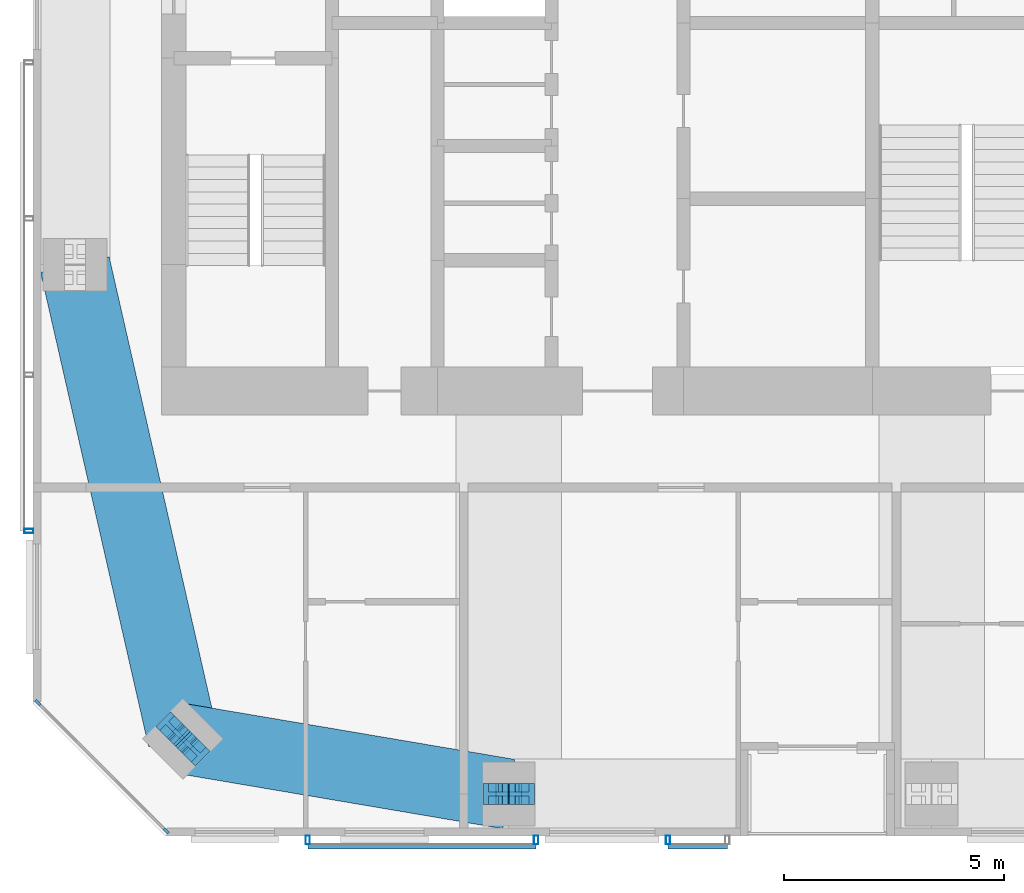
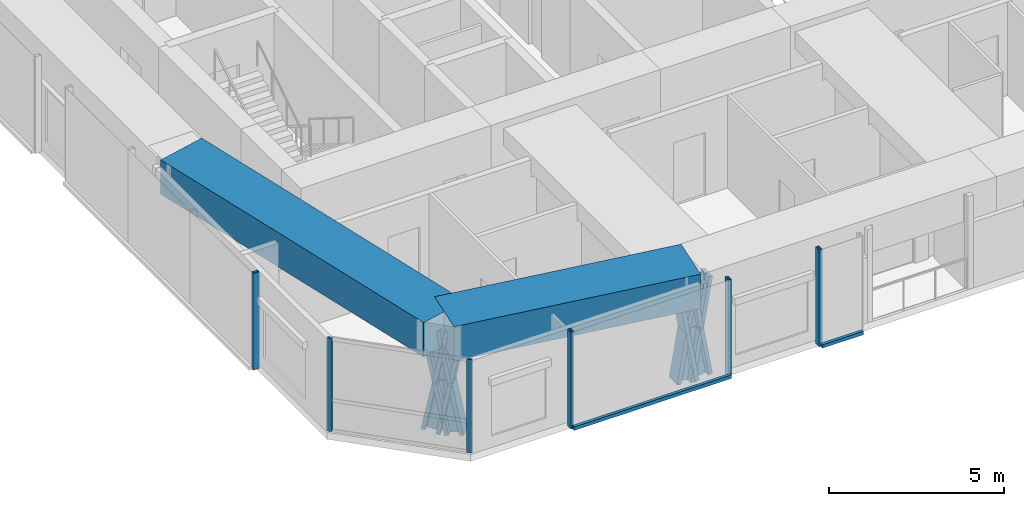
# One storey, part 2 of 20: 16 members, 2 beams, 4 elements without a shape of their own.
"""IFC4 building model written with IfcOpenShell, lengths in metres."""

from ifc_helpers import new_model, si_unit, direction, frame, origin, origin_2d, place, context, subcontext, project, spatial, rectangle, hollow_rectangle, i_section, extrude, material, material_profile, profile_set, type_object, element, aggregate, save


model = new_model("IFC4")

# Units and contexts
model_context = context("Model", 3, precision=1e-05, world=origin(), true_north=direction((0.0, 1.0)))
body_context = subcontext(model_context, "Body", "Model", "MODEL_VIEW")
ifc_project = project(units=[si_unit("LENGTHUNIT", "METRE"), si_unit("AREAUNIT", "SQUARE_METRE"), si_unit("VOLUMEUNIT", "CUBIC_METRE"), si_unit("PLANEANGLEUNIT", "RADIAN"), si_unit("MASSUNIT", "GRAM", prefix="KILO")], contexts=[model_context])

# Site, building, storey
site_placement = place(None, origin())
site = spatial("IfcSite", under=ifc_project, at=site_placement, CompositionType="ELEMENT")
building_placement = place(site_placement, origin())
building = spatial("IfcBuilding", under=site, at=building_placement, Name="Jalousie Tower", CompositionType="ELEMENT")
storey_placement = place(building_placement, frame((0.0, 0.0, 238.949951171875)))
storey = spatial("IfcBuildingStorey", under=building, at=storey_placement, Name="L65", CompositionType="ELEMENT", Elevation=238.949951171875)

# Curtain wall, members
ifc_material_1 = material(Name="Aluminium curtain wall", Category="aluminium")
curtain_wall_type_1 = type_object("IfcCurtainWallType", Name="CORNER WINDOW WALL", PredefinedType="USERDEFINED", material=ifc_material_1)
curtain_wall_1_placement = place(storey_placement, origin())
curtain_wall_1 = element("IfcCurtainWall", 1, at=curtain_wall_1_placement, inside=storey, type_object=curtain_wall_type_1, Name="Corner Window Wall L65 8", ObjectType="CORNER WINDOW WALL", PredefinedType="USERDEFINED")
ifc_material_2 = material(Name="Aluminium mullion", Category="aluminium")
ifc_material_profile_1 = material_profile(ifc_material_2, rectangle(XDim=0.06005859375, YDim=0.14990234375, at=origin_2d()), Name="MULLION 60x150")
ifc_profile_set_1 = profile_set([ifc_material_profile_1], Name="Aluminium mullion")
member_type_1 = type_object("IfcMemberType", Name="CORNER WINDOW WALL MULLION", PredefinedType="MULLION", material=ifc_profile_set_1)
member_1_placement = place(storey_placement, frame((16.90869140625, 3.030029296875, 0.0), z_axis=(0.0, 0.0, 1.0), x_axis=(0.707106781187, 0.707106781187, 0.0)))
member_1 = element("IfcMember", 2, at=member_1_placement, type_object=member_type_1, Name="CW-C mullion 1", PredefinedType="MULLION", context=body_context, shape_type="SweptSolid", body=[
    extrude(rectangle(XDim=0.06005859375, YDim=0.14990234375, at=origin_2d()), origin(), (0.0, 0.0, 1.0), 3.260009765625),
])
member_2_placement = place(storey_placement, frame((19.830078125, 0.108642578125, 0.0), z_axis=(0.0, 0.0, 1.0), x_axis=(0.707106781187, 0.707106781187, 0.0)))
member_2 = element("IfcMember", 3, at=member_2_placement, type_object=member_type_1, Name="CW-C mullion 2", PredefinedType="MULLION", context=body_context, shape_type="SweptSolid", body=[
    extrude(rectangle(XDim=0.06005859375, YDim=0.14990234375, at=origin_2d()), origin(), (0.0, 0.0, 1.0), 3.260009765625),
])
aggregate(curtain_wall_1, [member_1, member_2])

# Members
ifc_material_3 = material(Name="Steel ASTM A992 Grade 50", Category="steel")
ifc_material_profile_2 = material_profile(ifc_material_3, i_section(OverallWidth=0.472412109375, OverallDepth=0.5791015625, WebThickness=0.094970703125, FlangeThickness=0.1298828125, at=origin_2d()), Name="W14X808")
ifc_profile_set_2 = profile_set([ifc_material_profile_2], Name="Steel ASTM A992 Grade 50")
member_type_2 = type_object("IfcMemberType", Name="PERIMETER BRACE W14X808", PredefinedType="BRACE", material=ifc_profile_set_2)
for number, where, z_axis, x_axis, name in (
    (4, (19.959716796875, 2.45458984375, -0.599853515625), (0.138579250682, -0.138716051522, 0.980588419435), (0.707455539091, 0.706757851183, 0.0), "Perimeter brace 01 L65 part 1"),
    (5, (20.20703125, 2.20703125, 1.150146484375), (0.138716051522, -0.138579250682, 0.980588419435), (0.706757851183, 0.707455539091, 0.0), "Perimeter brace 01 L65 part 2"),
    (6, (20.45458984375, 1.959716796875, -0.599853515625), (-0.138716051522, 0.138579250682, 0.980588419435), (-0.706757851183, -0.707455539091, 0.0), "Perimeter brace 01 L65 part 3"),
    (7, (20.20703125, 2.20703125, 1.150146484375), (-0.138579250682, 0.138716051522, 0.980588419435), (-0.707455539091, -0.706757851183, 0.0), "Perimeter brace 01 L65 part 4"),
):
    element("IfcMember", number, at=place(storey_placement, frame(where, z_axis=z_axis, x_axis=x_axis)), inside=storey, type_object=member_type_2, Name=name, PredefinedType="BRACE", context=body_context, shape_type="SweptSolid", body=[
        extrude(i_section(OverallWidth=0.472412109375, OverallDepth=0.5791015625, WebThickness=0.094970703125, FlangeThickness=0.1298828125, at=origin_2d()), origin(), (0.0, 0.0, 1.0), 1.78466796875),
    ])
for number, where, z_axis, x_axis, name in (
    (8, (27.324951171875, 0.949951171875, -0.599853515625), (0.168990530437, 0.0, 0.98561767467), (0.0, 1.0, 0.0), "Perimeter brace 02 L65 part 1"),
    (9, (27.625, 0.949951171875, 1.150146484375), (0.168990530437, 0.0, 0.98561767467), (0.0, 1.0, 0.0), "Perimeter brace 02 L65 part 2"),
    (10, (27.925048828125, 0.949951171875, -0.599853515625), (-0.168990530437, 0.0, 0.98561767467), (0.0, -1.0, 0.0), "Perimeter brace 02 L65 part 3"),
    (11, (27.625, 0.949951171875, 1.150146484375), (-0.168990530437, 0.0, 0.98561767467), (0.0, -1.0, 0.0), "Perimeter brace 02 L65 part 4"),
):
    element("IfcMember", number, at=place(storey_placement, frame(where, z_axis=z_axis, x_axis=x_axis)), inside=storey, type_object=member_type_2, Name=name, PredefinedType="BRACE", context=body_context, shape_type="SweptSolid", body=[
        extrude(i_section(OverallWidth=0.472412109375, OverallDepth=0.5791015625, WebThickness=0.094970703125, FlangeThickness=0.1298828125, at=origin_2d()), origin(), (0.0, 0.0, 1.0), 1.775634765625),
    ])

# Beams
ifc_material_4 = material(Name="Concrete f'c 40 MPa", Category="concrete")
ifc_material_profile_3 = material_profile(ifc_material_4, rectangle(XDim=1.60009765625, YDim=1.199951171875, at=origin_2d()), Name="RC 1600x1200")
ifc_profile_set_3 = profile_set([ifc_material_profile_3], Name="Concrete f'c 40 MPa")
beam_type = type_object("IfcBeamType", Name="RC BEAM 1600x1200", PredefinedType="BEAM", material=ifc_profile_set_3)
beam_1_placement = place(storey_placement, frame((20.20703125, 2.20703125, 2.900146484375), z_axis=(0.985942997446, -0.167082033105, 0.0), x_axis=(0.167082033105, 0.985942997446, 0.0)))
element("IfcBeam", 12, at=beam_1_placement, inside=storey, type_object=beam_type, Name="Edge band beam 01-02 under L66", PredefinedType="BEAM", context=body_context, shape_type="SweptSolid", body=[
    extrude(rectangle(XDim=1.60009765625, YDim=1.199951171875, at=origin_2d()), origin(), (0.0, 0.0, 1.0), 7.523681640625),
])
beam_2_placement = place(storey_placement, frame((17.75, 13.0, 2.900146484375), z_axis=(0.221971905818, -0.975053061647, 0.0), x_axis=(0.975053061647, 0.221971905818, 0.0)))
element("IfcBeam", 13, at=beam_2_placement, inside=storey, type_object=beam_type, Name="Edge band beam 14-01 under L66", PredefinedType="BEAM", context=body_context, shape_type="SweptSolid", body=[
    extrude(rectangle(XDim=1.60009765625, YDim=1.199951171875, at=origin_2d()), origin(), (0.0, 0.0, 1.0), 11.069091796875),
])

# Curtain wall, members
ifc_material_5 = material(Name="Perforated aluminium sheet", Category="aluminium")
curtain_wall_type_2 = type_object("IfcCurtainWallType", Name="SOLAR SCREEN SS-2", PredefinedType="USERDEFINED", material=ifc_material_5)
curtain_wall_2_placement = place(storey_placement, origin())
curtain_wall_2 = element("IfcCurtainWall", 14, at=curtain_wall_2_placement, inside=storey, type_object=curtain_wall_type_2, Name="Solar screen L65", ObjectType="SOLAR SCREEN SS-2", PredefinedType="USERDEFINED")
ifc_material_6 = material(Name="Steel ASTM A500 Grade C", Category="steel")
ifc_material_profile_4 = material_profile(ifc_material_6, hollow_rectangle(XDim=0.1015625, YDim=0.203125, WallThickness=0.0078125, at=origin_2d()), Name="HSS8X4X5/16")
ifc_profile_set_4 = profile_set([ifc_material_profile_4], Name="Steel ASTM A500 Grade C")
member_type_3 = type_object("IfcMemberType", Name="SOLAR SCREEN SS-2 MULLION", PredefinedType="MULLION", material=ifc_profile_set_4)
member_3_placement = place(storey_placement, frame((23.050048828125, -0.0966796875, -0.119873046875), z_axis=(0.0, 0.0, 1.0), x_axis=(1.0, 0.0, 0.0)))
member_3 = element("IfcMember", 15, at=member_3_placement, type_object=member_type_3, Name="SS2 post 1", PredefinedType="MULLION", context=body_context, shape_type="SweptSolid", body=[
    extrude(hollow_rectangle(XDim=0.1015625, YDim=0.203125, WallThickness=0.0078125, at=origin_2d()), origin(), (0.0, 0.0, 1.0), 3.3798828125),
])
member_4_placement = place(storey_placement, frame((28.25, -0.0966796875, -0.119873046875), z_axis=(0.0, 0.0, 1.0), x_axis=(1.0, 0.0, 0.0)))
member_4 = element("IfcMember", 16, at=member_4_placement, type_object=member_type_3, Name="SS2 post 2", PredefinedType="MULLION", context=body_context, shape_type="SweptSolid", body=[
    extrude(hollow_rectangle(XDim=0.1015625, YDim=0.203125, WallThickness=0.0078125, at=origin_2d()), origin(), (0.0, 0.0, 1.0), 3.3798828125),
])

# Curtain wall, member
curtain_wall_3_placement = place(storey_placement, origin())
curtain_wall_3 = element("IfcCurtainWall", 17, at=curtain_wall_3_placement, inside=storey, type_object=curtain_wall_type_2, Name="Solar screen L65", ObjectType="SOLAR SCREEN SS-2", PredefinedType="USERDEFINED")
member_5_placement = place(storey_placement, frame((31.25, -0.0966796875, -0.119873046875), z_axis=(0.0, 0.0, 1.0), x_axis=(1.0, 0.0, 0.0)))
member_5 = element("IfcMember", 18, at=member_5_placement, type_object=member_type_3, Name="SS2 post 1", PredefinedType="MULLION", context=body_context, shape_type="SweptSolid", body=[
    extrude(hollow_rectangle(XDim=0.1015625, YDim=0.203125, WallThickness=0.0078125, at=origin_2d()), origin(), (0.0, 0.0, 1.0), 3.3798828125),
])

curtain_wall_4_placement = place(storey_placement, origin())
curtain_wall_4 = element("IfcCurtainWall", 19, at=curtain_wall_4_placement, inside=storey, type_object=curtain_wall_type_2, Name="Solar screen L65", ObjectType="SOLAR SCREEN SS-2", PredefinedType="USERDEFINED")
member_6_placement = place(storey_placement, frame((16.703369140625, 6.93798828125, -0.119873046875), z_axis=(0.0, 0.0, 1.0), x_axis=(0.0, -1.0, 0.0)))
member_6 = element("IfcMember", 20, at=member_6_placement, type_object=member_type_3, Name="SS2 post 4", PredefinedType="MULLION", context=body_context, shape_type="SweptSolid", body=[
    extrude(hollow_rectangle(XDim=0.1015625, YDim=0.203125, WallThickness=0.0078125, at=origin_2d()), origin(), (0.0, 0.0, 1.0), 3.3798828125),
])
aggregate(curtain_wall_4, [member_6])

# Member
ifc_material_7 = material(Name="Extruded aluminium screen rail", Category="aluminium")
ifc_material_profile_5 = material_profile(ifc_material_7, rectangle(XDim=0.1015625, YDim=0.1201171875, at=origin_2d()), Name="RAIL 102x120")
ifc_profile_set_5 = profile_set([ifc_material_profile_5], Name="Extruded aluminium screen rail")
member_type_4 = type_object("IfcMemberType", Name="SOLAR SCREEN SS-2 TRANSOM", PredefinedType="USERDEFINED", material=ifc_profile_set_5)
member_7_placement = place(storey_placement, frame((23.050048828125, -0.2490234375, -0.06005859375), z_axis=(1.0, 0.0, 0.0), x_axis=(0.0, 1.0, 0.0)))
member_7 = element("IfcMember", 21, at=member_7_placement, type_object=member_type_4, Name="SS2 rail", ObjectType="TRANSOM", PredefinedType="USERDEFINED", context=body_context, shape_type="SweptSolid", body=[
    extrude(rectangle(XDim=0.1015625, YDim=0.1201171875, at=origin_2d()), origin(), (0.0, 0.0, 1.0), 5.199951171875),
])

aggregate(curtain_wall_2, [member_3, member_4, member_7])

member_8_placement = place(storey_placement, frame((31.25, -0.2490234375, -0.06005859375), z_axis=(1.0, 0.0, 0.0), x_axis=(0.0, 1.0, 0.0)))
member_8 = element("IfcMember", 22, at=member_8_placement, type_object=member_type_4, Name="SS2 rail", ObjectType="TRANSOM", PredefinedType="USERDEFINED", context=body_context, shape_type="SweptSolid", body=[
    extrude(rectangle(XDim=0.1015625, YDim=0.1201171875, at=origin_2d()), origin(), (0.0, 0.0, 1.0), 1.35009765625),
])

aggregate(curtain_wall_3, [member_5, member_8])

save(model, "model.ifc")
